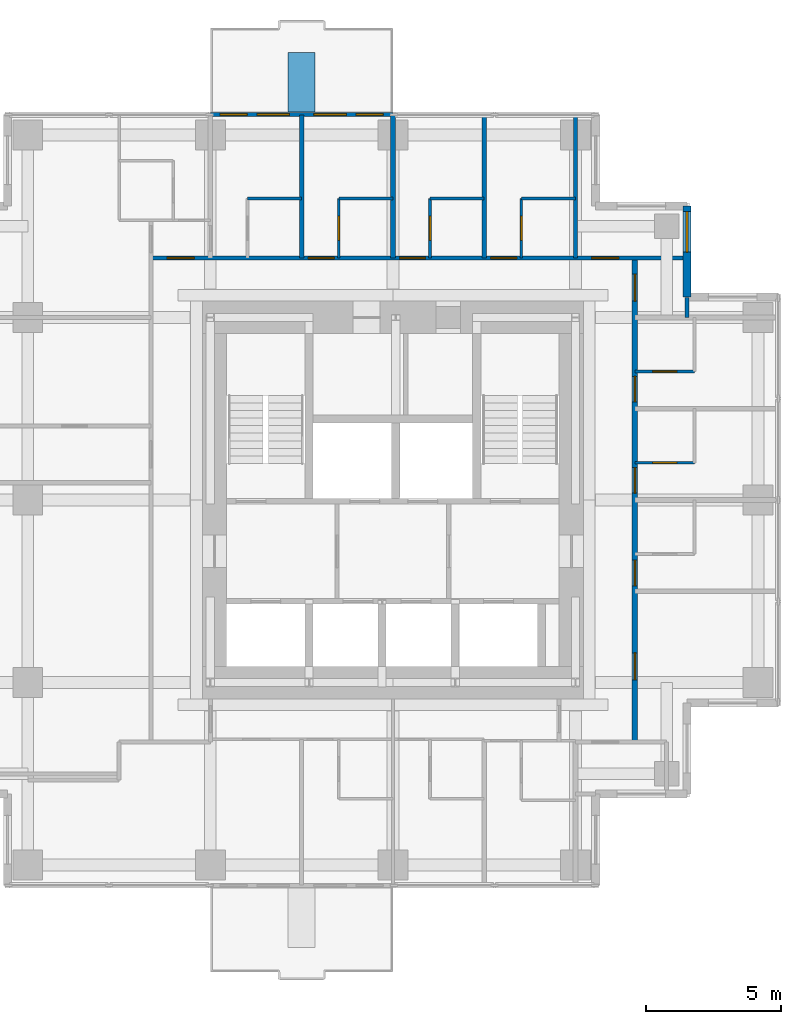
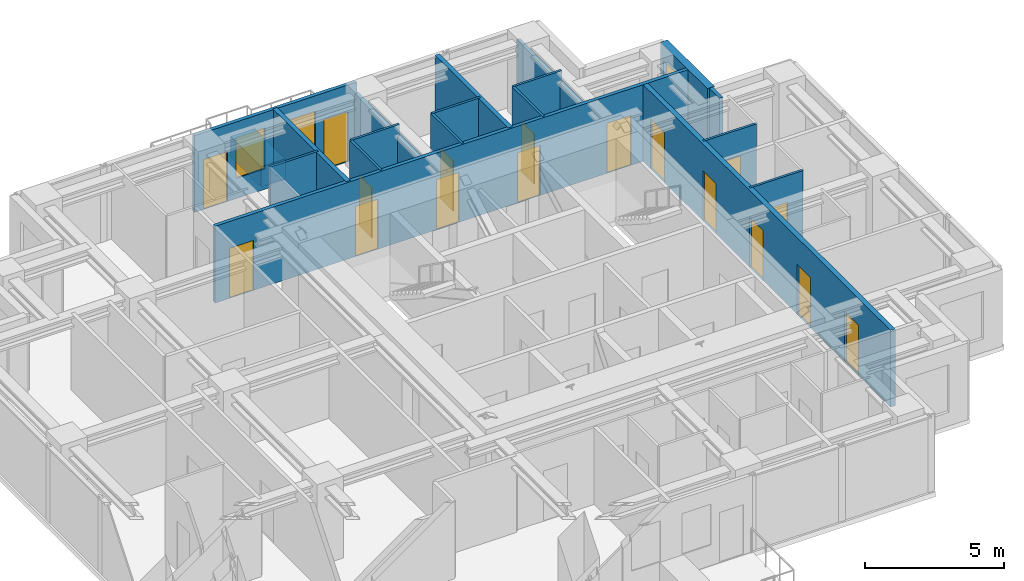
# One storey, part 6 of 8: 19 walls, 17 doors, 3 windows, 20 openings.
"""IFC4 building model written with IfcOpenShell, lengths in metres."""

from ifc_helpers import new_model, si_unit, direction, frame, frame_2d, origin, place, context, subcontext, project, spatial, rectangle, extrude, material, layer, layer_set, type_object, element, fill, save


model = new_model("IFC4")

# Units and contexts
model_context = context("Model", 3, precision=1e-05, world=origin(), true_north=direction((0.0, 1.0)))
body_context = subcontext(model_context, "Body", "Model", "MODEL_VIEW")
ifc_project = project(units=[si_unit("LENGTHUNIT", "METRE"), si_unit("AREAUNIT", "SQUARE_METRE"), si_unit("VOLUMEUNIT", "CUBIC_METRE"), si_unit("PLANEANGLEUNIT", "RADIAN"), si_unit("MASSUNIT", "GRAM", prefix="KILO")], contexts=[model_context])

# Site, building, storey
site_placement = place(None, origin())
site = spatial("IfcSite", under=ifc_project, at=site_placement, CompositionType="ELEMENT")
building_placement = place(site_placement, origin())
building = spatial("IfcBuilding", under=site, at=building_placement, Name="Nyansa Garden Tower", CompositionType="ELEMENT")
storey_placement = place(building_placement, frame((0.0, 0.0, 211.5)))
storey = spatial("IfcBuildingStorey", under=building, at=storey_placement, Name="L57", CompositionType="ELEMENT", Elevation=211.5)

# Walls
ifc_material_1 = material(Name="Dense blockwork, plastered both sides, 55 dB", Category="masonry")
ifc_layer_1 = layer(ifc_material_1, 0.175048828125)
ifc_layer_set_1 = layer_set([ifc_layer_1], Name="Acoustic party wall PW175")
wall_type_1 = type_object("IfcWallType", Name="Acoustic party wall PW175", PredefinedType="PARTITIONING", material=ifc_layer_set_1)
wall_1_placement = place(storey_placement, frame((16.875, 29.199951171875, 0.0), z_axis=(0.0, 0.0, 1.0), x_axis=(0.0, 1.0, 0.0)))
element("IfcWall", 1, at=wall_1_placement, inside=storey, type_object=wall_type_1, Name="Party wall", PredefinedType="PARTITIONING", context=body_context, shape_type="SweptSolid", body=[
    extrude(rectangle(XDim=5.283935546875, YDim=0.175048828125, at=frame_2d((2.64208984375, 0.0))), origin(), (0.0, 0.0, 1.0), 3.375),
])
wall_2_placement = place(storey_placement, frame((20.25, 29.199951171875, 0.0), z_axis=(0.0, 0.0, 1.0), x_axis=(0.0, 1.0, 0.0)))
element("IfcWall", 2, at=wall_2_placement, inside=storey, type_object=wall_type_1, Name="Party wall", PredefinedType="PARTITIONING", context=body_context, shape_type="SweptSolid", body=[
    extrude(rectangle(XDim=5.283935546875, YDim=0.175048828125, at=frame_2d((2.64208984375, 0.0))), origin(), (0.0, 0.0, 1.0), 2.876953125),
])
wall_3_placement = place(storey_placement, frame((23.625, 29.199951171875, 0.0), z_axis=(0.0, 0.0, 1.0), x_axis=(0.0, 1.0, 0.0)))
element("IfcWall", 3, at=wall_3_placement, inside=storey, type_object=wall_type_1, Name="Party wall", PredefinedType="PARTITIONING", context=body_context, shape_type="SweptSolid", body=[
    extrude(rectangle(XDim=5.283935546875, YDim=0.175048828125, at=frame_2d((2.64208984375, 0.0))), origin(), (0.0, 0.0, 1.0), 3.375),
])

# Wall, openings, doors, windows
ifc_material_2 = material(Name="Black aluminium framed glazed screen", Category="aluminium")
ifc_layer_2 = layer(ifc_material_2, 0.14990234375)
ifc_layer_set_2 = layer_set([ifc_layer_2], Name="Balcony screen wall BW150")
wall_type_2 = type_object("IfcWallType", Name="Balcony screen wall BW150", PredefinedType="SOLIDWALL", material=ifc_layer_set_2)
wall_4_placement = place(storey_placement, frame((13.5, 34.5, 0.0), z_axis=(0.0, 0.0, 1.0), x_axis=(1.0, 0.0, 0.0)))
wall_4 = element("IfcWall", 4, at=wall_4_placement, inside=storey, type_object=wall_type_2, Name="Glazed screen wall L57 N", PredefinedType="SOLIDWALL", context=body_context, shape_type="SweptSolid", body=[
    extrude(rectangle(XDim=6.75, YDim=0.14990234375, at=frame_2d((3.375, 0.0))), origin(), (0.0, 0.0, 1.0), 3.375),
])
opening_1_placement = place(wall_4_placement, frame((0.362548828125, 0.0, 0.0)))
opening_1 = element("IfcOpeningElement", 5, at=opening_1_placement, cuts=wall_4, Name="Opening D20", PredefinedType="OPENING", context=body_context, shape_type="SweptSolid", body=[
    extrude(rectangle(XDim=1.0, YDim=2.199951171875, at=frame_2d((0.5, 1.10009765625))), frame((0.0, 0.0849609375, 0.0), z_axis=(0.0, -1.0, 0.0), x_axis=(1.0, 0.0, 0.0)), (0.0, 0.0, 1.0), 0.169921875),
])
opening_2_placement = place(wall_4_placement, frame((1.72509765625, 0.0, 0.89990234375)))
opening_2 = element("IfcOpeningElement", 6, at=opening_2_placement, cuts=wall_4, Name="Opening W6", PredefinedType="OPENING", context=body_context, shape_type="SweptSolid", body=[
    extrude(rectangle(XDim=1.199951171875, YDim=1.800048828125, at=frame_2d((0.60009765625, 0.89990234375))), frame((0.0, 0.0849609375, 0.0), z_axis=(0.0, -1.0, 0.0), x_axis=(1.0, 0.0, 0.0)), (0.0, 0.0, 1.0), 0.169921875),
])
opening_3_placement = place(wall_4_placement, frame((5.387451171875, 0.0, 0.0)))
opening_3 = element("IfcOpeningElement", 7, at=opening_3_placement, cuts=wall_4, Name="Opening D20", PredefinedType="OPENING", context=body_context, shape_type="SweptSolid", body=[
    extrude(rectangle(XDim=1.0, YDim=2.199951171875, at=frame_2d((0.5, 1.10009765625))), frame((0.0, 0.0849609375, 0.0), z_axis=(0.0, -1.0, 0.0), x_axis=(1.0, 0.0, 0.0)), (0.0, 0.0, 1.0), 0.169921875),
])
opening_4_placement = place(wall_4_placement, frame((3.824951171875, 0.0, 0.89990234375)))
opening_4 = element("IfcOpeningElement", 8, at=opening_4_placement, cuts=wall_4, Name="Opening W6", PredefinedType="OPENING", context=body_context, shape_type="SweptSolid", body=[
    extrude(rectangle(XDim=1.199951171875, YDim=1.800048828125, at=frame_2d((0.60009765625, 0.89990234375))), frame((0.0, 0.0849609375, 0.0), z_axis=(0.0, -1.0, 0.0), x_axis=(1.0, 0.0, 0.0)), (0.0, 0.0, 1.0), 0.169921875),
])
ifc_material_3 = material(Name="Black aluminium framed glazed door", Category="aluminium")
door_type_1 = type_object("IfcDoorType", Name="Balcony door D20 1000x2200", OperationType="NOTDEFINED", PredefinedType="DOOR", material=ifc_material_3)
door_1_placement = place(opening_1_placement, origin())
door_1 = element("IfcDoor", 9, at=door_1_placement, inside=storey, type_object=door_type_1, Name="Balcony door L57", OperationType="SINGLE_SWING_LEFT", OverallHeight=2.199951171875, OverallWidth=1.0, PredefinedType="DOOR", context=body_context, shape_type="SweptSolid", body=[
    extrude(rectangle(XDim=1.0, YDim=2.199951171875, at=frame_2d((0.5, 1.10009765625))), frame((0.0, 0.02490234375, 0.0), z_axis=(0.0, -1.0, 0.0), x_axis=(1.0, 0.0, 0.0)), (0.0, 0.0, 1.0), 0.050048828125),
])
fill(opening_1, door_1)
door_2_placement = place(opening_3_placement, origin())
door_2 = element("IfcDoor", 10, at=door_2_placement, inside=storey, type_object=door_type_1, Name="Balcony door L57", OperationType="SINGLE_SWING_RIGHT", OverallHeight=2.199951171875, OverallWidth=1.0, PredefinedType="DOOR", context=body_context, shape_type="SweptSolid", body=[
    extrude(rectangle(XDim=1.0, YDim=2.199951171875, at=frame_2d((0.5, 1.10009765625))), frame((0.0, 0.02490234375, 0.0), z_axis=(0.0, -1.0, 0.0), x_axis=(1.0, 0.0, 0.0)), (0.0, 0.0, 1.0), 0.050048828125),
])
fill(opening_3, door_2)
ifc_material_4 = material(Name="Black aluminium frame, dark tinted double glazing", Category="aluminium")
window_type_1 = type_object("IfcWindowType", Name="Balcony window W6 1200x1800", PartitioningType="SINGLE_PANEL", PredefinedType="WINDOW", material=ifc_material_4)
window_1_placement = place(opening_2_placement, origin())
window_1 = element("IfcWindow", 11, at=window_1_placement, inside=storey, type_object=window_type_1, Name="Window L57", OverallHeight=1.800048828125, OverallWidth=1.199951171875, PartitioningType="SINGLE_PANEL", PredefinedType="WINDOW", context=body_context, shape_type="SweptSolid", body=[
    extrude(rectangle(XDim=1.199951171875, YDim=1.800048828125, at=frame_2d((0.60009765625, 0.89990234375))), frame((0.0, 0.030029296875, 0.0), z_axis=(0.0, -1.0, 0.0), x_axis=(1.0, 0.0, 0.0)), (0.0, 0.0, 1.0), 0.06005859375),
])
fill(opening_2, window_1)
window_2_placement = place(opening_4_placement, origin())
window_2 = element("IfcWindow", 12, at=window_2_placement, inside=storey, type_object=window_type_1, Name="Window L57", OverallHeight=1.800048828125, OverallWidth=1.199951171875, PartitioningType="SINGLE_PANEL", PredefinedType="WINDOW", context=body_context, shape_type="SweptSolid", body=[
    extrude(rectangle(XDim=1.199951171875, YDim=1.800048828125, at=frame_2d((0.60009765625, 0.89990234375))), frame((0.0, 0.030029296875, 0.0), z_axis=(0.0, -1.0, 0.0), x_axis=(1.0, 0.0, 0.0)), (0.0, 0.0, 1.0), 0.06005859375),
])
fill(opening_4, window_2)

# Wall, openings, doors
ifc_material_5 = material(Name="Concrete blockwork, plastered, 60 minute fire resisting", Category="masonry")
ifc_layer_3 = layer(ifc_material_5, 0.199951171875)
ifc_layer_set_3 = layer_set([ifc_layer_3], Name="Corridor wall FW200")
wall_type_3 = type_object("IfcWallType", Name="Corridor wall FW200", PredefinedType="PARTITIONING", material=ifc_layer_set_3)
wall_5_placement = place(storey_placement, frame((29.199951171875, 11.300048828125, 0.0), z_axis=(0.0, 0.0, 1.0), x_axis=(0.0, 1.0, 0.0)))
wall_5 = element("IfcWall", 13, at=wall_5_placement, inside=storey, type_object=wall_type_3, Name="Corridor wall", PredefinedType="PARTITIONING", context=body_context, shape_type="SweptSolid", body=[
    extrude(rectangle(XDim=17.89990234375, YDim=0.199951171875, at=frame_2d((8.949951171875, 0.0))), origin(), (0.0, 0.0, 1.0), 3.375),
])
opening_5_placement = place(wall_5_placement, frame((2.300048828125, 0.0, 0.0)))
opening_5 = element("IfcOpeningElement", 14, at=opening_5_placement, cuts=wall_5, Name="Opening D03", PredefinedType="OPENING", context=body_context, shape_type="SweptSolid", body=[
    extrude(rectangle(XDim=1.0, YDim=2.199951171875, at=frame_2d((0.5, 1.10009765625))), frame((0.0, 0.10986328125, 0.0), z_axis=(0.0, -1.0, 0.0), x_axis=(1.0, 0.0, 0.0)), (0.0, 0.0, 1.0), 0.219970703125),
])
opening_6_placement = place(wall_5_placement, frame((5.77490234375, 0.0, 0.0)))
opening_6 = element("IfcOpeningElement", 15, at=opening_6_placement, cuts=wall_5, Name="Opening D14", PredefinedType="OPENING", context=body_context, shape_type="SweptSolid", body=[
    extrude(rectangle(XDim=0.949951171875, YDim=2.199951171875, at=frame_2d((0.47509765625, 1.10009765625))), frame((0.0, 0.10986328125, 0.0), z_axis=(0.0, -1.0, 0.0), x_axis=(1.0, 0.0, 0.0)), (0.0, 0.0, 1.0), 0.219970703125),
])
opening_7_placement = place(wall_5_placement, frame((9.199951171875, 0.0, 0.0)))
opening_7 = element("IfcOpeningElement", 16, at=opening_7_placement, cuts=wall_5, Name="Opening D14", PredefinedType="OPENING", context=body_context, shape_type="SweptSolid", body=[
    extrude(rectangle(XDim=0.949951171875, YDim=2.199951171875, at=frame_2d((0.47509765625, 1.10009765625))), frame((0.0, 0.10986328125, 0.0), z_axis=(0.0, -1.0, 0.0), x_axis=(1.0, 0.0, 0.0)), (0.0, 0.0, 1.0), 0.219970703125),
])
opening_8_placement = place(wall_5_placement, frame((12.574951171875, 0.0, 0.0)))
opening_8 = element("IfcOpeningElement", 17, at=opening_8_placement, cuts=wall_5, Name="Opening D14", PredefinedType="OPENING", context=body_context, shape_type="SweptSolid", body=[
    extrude(rectangle(XDim=0.949951171875, YDim=2.199951171875, at=frame_2d((0.47509765625, 1.10009765625))), frame((0.0, 0.10986328125, 0.0), z_axis=(0.0, -1.0, 0.0), x_axis=(1.0, 0.0, 0.0)), (0.0, 0.0, 1.0), 0.219970703125),
])
opening_9_placement = place(wall_5_placement, frame((16.300048828125, 0.0, 0.0)))
opening_9 = element("IfcOpeningElement", 18, at=opening_9_placement, cuts=wall_5, Name="Opening D03", PredefinedType="OPENING", context=body_context, shape_type="SweptSolid", body=[
    extrude(rectangle(XDim=1.0, YDim=2.199951171875, at=frame_2d((0.5, 1.10009765625))), frame((0.0, 0.10986328125, 0.0), z_axis=(0.0, -1.0, 0.0), x_axis=(1.0, 0.0, 0.0)), (0.0, 0.0, 1.0), 0.219970703125),
])
ifc_material_6 = material(Name="Timber flush door, 60 minute fire resisting", Category="wood")
door_type_2 = type_object("IfcDoorType", Name="Cluster entrance door D03 1000x2200", OperationType="SINGLE_SWING_LEFT", PredefinedType="DOOR", material=ifc_material_6)
door_3_placement = place(opening_5_placement, origin())
door_3 = element("IfcDoor", 19, at=door_3_placement, inside=storey, type_object=door_type_2, Name="Door L57-026", OperationType="SINGLE_SWING_LEFT", OverallHeight=2.199951171875, OverallWidth=1.0, PredefinedType="DOOR", context=body_context, shape_type="SweptSolid", body=[
    extrude(rectangle(XDim=1.0, YDim=2.199951171875, at=frame_2d((0.5, 1.10009765625))), frame((0.0, 0.02490234375, 0.0), z_axis=(0.0, -1.0, 0.0), x_axis=(1.0, 0.0, 0.0)), (0.0, 0.0, 1.0), 0.050048828125),
])
fill(opening_5, door_3)
door_4_placement = place(opening_9_placement, origin())
door_4 = element("IfcDoor", 20, at=door_4_placement, inside=storey, type_object=door_type_2, Name="Door L57-033", OperationType="SINGLE_SWING_LEFT", OverallHeight=2.199951171875, OverallWidth=1.0, PredefinedType="DOOR", context=body_context, shape_type="SweptSolid", body=[
    extrude(rectangle(XDim=1.0, YDim=2.199951171875, at=frame_2d((0.5, 1.10009765625))), frame((0.0, 0.02490234375, 0.0), z_axis=(0.0, -1.0, 0.0), x_axis=(1.0, 0.0, 0.0)), (0.0, 0.0, 1.0), 0.050048828125),
])
fill(opening_9, door_4)
ifc_material_7 = material(Name="Timber flush door, 60 minute fire resisting, self-closing", Category="wood")
door_type_3 = type_object("IfcDoorType", Name="Studio entrance door D14 950x2200", OperationType="SINGLE_SWING_LEFT", PredefinedType="DOOR", material=ifc_material_7)
door_5_placement = place(opening_6_placement, origin())
door_5 = element("IfcDoor", 21, at=door_5_placement, inside=storey, type_object=door_type_3, Name="Door L57-027", OperationType="SINGLE_SWING_LEFT", OverallHeight=2.199951171875, OverallWidth=0.949951171875, PredefinedType="DOOR", context=body_context, shape_type="SweptSolid", body=[
    extrude(rectangle(XDim=0.949951171875, YDim=2.199951171875, at=frame_2d((0.47509765625, 1.10009765625))), frame((0.0, 0.02490234375, 0.0), z_axis=(0.0, -1.0, 0.0), x_axis=(1.0, 0.0, 0.0)), (0.0, 0.0, 1.0), 0.050048828125),
])
fill(opening_6, door_5)
door_6_placement = place(opening_7_placement, origin())
door_6 = element("IfcDoor", 22, at=door_6_placement, inside=storey, type_object=door_type_3, Name="Door L57-029", OperationType="SINGLE_SWING_LEFT", OverallHeight=2.199951171875, OverallWidth=0.949951171875, PredefinedType="DOOR", context=body_context, shape_type="SweptSolid", body=[
    extrude(rectangle(XDim=0.949951171875, YDim=2.199951171875, at=frame_2d((0.47509765625, 1.10009765625))), frame((0.0, 0.02490234375, 0.0), z_axis=(0.0, -1.0, 0.0), x_axis=(1.0, 0.0, 0.0)), (0.0, 0.0, 1.0), 0.050048828125),
])
fill(opening_7, door_6)
door_7_placement = place(opening_8_placement, origin())
door_7 = element("IfcDoor", 23, at=door_7_placement, inside=storey, type_object=door_type_3, Name="Door L57-031", OperationType="SINGLE_SWING_LEFT", OverallHeight=2.199951171875, OverallWidth=0.949951171875, PredefinedType="DOOR", context=body_context, shape_type="SweptSolid", body=[
    extrude(rectangle(XDim=0.949951171875, YDim=2.199951171875, at=frame_2d((0.47509765625, 1.10009765625))), frame((0.0, 0.02490234375, 0.0), z_axis=(0.0, -1.0, 0.0), x_axis=(1.0, 0.0, 0.0)), (0.0, 0.0, 1.0), 0.050048828125),
])
fill(opening_8, door_7)

ifc_material_8 = material(Name="Blockwork, plastered both sides", Category="masonry")
ifc_layer_4 = layer(ifc_material_8, 0.14990234375)
ifc_layer_set_4 = layer_set([ifc_layer_4], Name="Partition PW150")
wall_type_4 = type_object("IfcWallType", Name="Partition PW150", PredefinedType="PARTITIONING", material=ifc_layer_set_4)
wall_6_placement = place(storey_placement, frame((11.300048828125, 29.199951171875, 0.0), z_axis=(0.0, 0.0, 1.0), x_axis=(1.0, 0.0, 0.0)))
wall_6 = element("IfcWall", 24, at=wall_6_placement, inside=storey, type_object=wall_type_4, Name="Partition", PredefinedType="PARTITIONING", context=body_context, shape_type="SweptSolid", body=[
    extrude(rectangle(XDim=19.808837890625, YDim=0.14990234375, at=frame_2d((9.904296875, 0.0))), origin(), (0.0, 0.0, 1.0), 3.375),
])
opening_10_placement = place(wall_6_placement, frame((16.300048828125, 0.0, 0.0)))
opening_10 = element("IfcOpeningElement", 25, at=opening_10_placement, cuts=wall_6, Name="Opening D03", PredefinedType="OPENING", context=body_context, shape_type="SweptSolid", body=[
    extrude(rectangle(XDim=1.0, YDim=2.199951171875, at=frame_2d((0.5, 1.10009765625))), frame((0.0, 0.0849609375, 0.0), z_axis=(0.0, -1.0, 0.0), x_axis=(1.0, 0.0, 0.0)), (0.0, 0.0, 1.0), 0.169921875),
])
opening_11_placement = place(wall_6_placement, frame((5.824951171875, 0.0, 0.0)))
opening_11 = element("IfcOpeningElement", 26, at=opening_11_placement, cuts=wall_6, Name="Opening D14", PredefinedType="OPENING", context=body_context, shape_type="SweptSolid", body=[
    extrude(rectangle(XDim=0.949951171875, YDim=2.199951171875, at=frame_2d((0.47509765625, 1.10009765625))), frame((0.0, 0.0849609375, 0.0), z_axis=(0.0, -1.0, 0.0), x_axis=(1.0, 0.0, 0.0)), (0.0, 0.0, 1.0), 0.169921875),
])
opening_12_placement = place(wall_6_placement, frame((9.199951171875, 0.0, 0.0)))
opening_12 = element("IfcOpeningElement", 27, at=opening_12_placement, cuts=wall_6, Name="Opening D14", PredefinedType="OPENING", context=body_context, shape_type="SweptSolid", body=[
    extrude(rectangle(XDim=0.949951171875, YDim=2.199951171875, at=frame_2d((0.47509765625, 1.10009765625))), frame((0.0, 0.0849609375, 0.0), z_axis=(0.0, -1.0, 0.0), x_axis=(1.0, 0.0, 0.0)), (0.0, 0.0, 1.0), 0.169921875),
])
opening_13_placement = place(wall_6_placement, frame((12.574951171875, 0.0, 0.0)))
opening_13 = element("IfcOpeningElement", 28, at=opening_13_placement, cuts=wall_6, Name="Opening D14", PredefinedType="OPENING", context=body_context, shape_type="SweptSolid", body=[
    extrude(rectangle(XDim=0.949951171875, YDim=2.199951171875, at=frame_2d((0.47509765625, 1.10009765625))), frame((0.0, 0.0849609375, 0.0), z_axis=(0.0, -1.0, 0.0), x_axis=(1.0, 0.0, 0.0)), (0.0, 0.0, 1.0), 0.169921875),
])
opening_14_placement = place(wall_6_placement, frame((0.60009765625, 0.0, 0.0)))
opening_14 = element("IfcOpeningElement", 29, at=opening_14_placement, cuts=wall_6, Name="Opening D03", PredefinedType="OPENING", context=body_context, shape_type="SweptSolid", body=[
    extrude(rectangle(XDim=1.0, YDim=2.199951171875, at=frame_2d((0.5, 1.10009765625))), frame((0.0, 0.0849609375, 0.0), z_axis=(0.0, -1.0, 0.0), x_axis=(1.0, 0.0, 0.0)), (0.0, 0.0, 1.0), 0.169921875),
])
door_8_placement = place(opening_10_placement, origin())
door_8 = element("IfcDoor", 30, at=door_8_placement, inside=storey, type_object=door_type_2, Name="Door L57-034", OperationType="SINGLE_SWING_LEFT", OverallHeight=2.199951171875, OverallWidth=1.0, PredefinedType="DOOR", context=body_context, shape_type="SweptSolid", body=[
    extrude(rectangle(XDim=1.0, YDim=2.199951171875, at=frame_2d((0.5, 1.10009765625))), frame((0.0, 0.02490234375, 0.0), z_axis=(0.0, -1.0, 0.0), x_axis=(1.0, 0.0, 0.0)), (0.0, 0.0, 1.0), 0.050048828125),
])
fill(opening_10, door_8)
door_9_placement = place(opening_14_placement, origin())
door_9 = element("IfcDoor", 31, at=door_9_placement, inside=storey, type_object=door_type_2, Name="Door L57-045", OperationType="SINGLE_SWING_LEFT", OverallHeight=2.199951171875, OverallWidth=1.0, PredefinedType="DOOR", context=body_context, shape_type="SweptSolid", body=[
    extrude(rectangle(XDim=1.0, YDim=2.199951171875, at=frame_2d((0.5, 1.10009765625))), frame((0.0, 0.02490234375, 0.0), z_axis=(0.0, -1.0, 0.0), x_axis=(1.0, 0.0, 0.0)), (0.0, 0.0, 1.0), 0.050048828125),
])
fill(opening_14, door_9)
door_10_placement = place(opening_11_placement, origin())
door_10 = element("IfcDoor", 32, at=door_10_placement, inside=storey, type_object=door_type_3, Name="Door L57-039", OperationType="SINGLE_SWING_LEFT", OverallHeight=2.199951171875, OverallWidth=0.949951171875, PredefinedType="DOOR", context=body_context, shape_type="SweptSolid", body=[
    extrude(rectangle(XDim=0.949951171875, YDim=2.199951171875, at=frame_2d((0.47509765625, 1.10009765625))), frame((0.0, 0.02490234375, 0.0), z_axis=(0.0, -1.0, 0.0), x_axis=(1.0, 0.0, 0.0)), (0.0, 0.0, 1.0), 0.050048828125),
])
fill(opening_11, door_10)
door_11_placement = place(opening_12_placement, origin())
door_11 = element("IfcDoor", 33, at=door_11_placement, inside=storey, type_object=door_type_3, Name="Door L57-041", OperationType="SINGLE_SWING_LEFT", OverallHeight=2.199951171875, OverallWidth=0.949951171875, PredefinedType="DOOR", context=body_context, shape_type="SweptSolid", body=[
    extrude(rectangle(XDim=0.949951171875, YDim=2.199951171875, at=frame_2d((0.47509765625, 1.10009765625))), frame((0.0, 0.02490234375, 0.0), z_axis=(0.0, -1.0, 0.0), x_axis=(1.0, 0.0, 0.0)), (0.0, 0.0, 1.0), 0.050048828125),
])
fill(opening_12, door_11)
door_12_placement = place(opening_13_placement, origin())
door_12 = element("IfcDoor", 34, at=door_12_placement, inside=storey, type_object=door_type_3, Name="Door L57-043", OperationType="SINGLE_SWING_LEFT", OverallHeight=2.199951171875, OverallWidth=0.949951171875, PredefinedType="DOOR", context=body_context, shape_type="SweptSolid", body=[
    extrude(rectangle(XDim=0.949951171875, YDim=2.199951171875, at=frame_2d((0.47509765625, 1.10009765625))), frame((0.0, 0.02490234375, 0.0), z_axis=(0.0, -1.0, 0.0), x_axis=(1.0, 0.0, 0.0)), (0.0, 0.0, 1.0), 0.050048828125),
])
fill(opening_13, door_12)

# Walls
wall_7_placement = place(storey_placement, frame((27.0, 29.199951171875, 0.0), z_axis=(0.0, 0.0, 1.0), x_axis=(0.0, 1.0, 0.0)))
element("IfcWall", 35, at=wall_7_placement, inside=storey, type_object=wall_type_4, Name="Partition", PredefinedType="PARTITIONING", context=body_context, shape_type="SweptSolid", body=[
    extrude(rectangle(XDim=5.283935546875, YDim=0.14990234375, at=frame_2d((2.64208984375, 0.0))), origin(), (0.0, 0.0, 1.0), 2.876953125),
])
wall_8_placement = place(storey_placement, frame((31.125, 27.0, 0.0), z_axis=(0.0, 0.0, 1.0), x_axis=(0.0, 1.0, 0.0)))
element("IfcWall", 36, at=wall_8_placement, inside=storey, type_object=wall_type_4, Name="Partition", PredefinedType="PARTITIONING", context=body_context, shape_type="SweptSolid", body=[
    extrude(rectangle(XDim=0.73388671875, YDim=0.14990234375, at=frame_2d((0.366943359375, 0.0))), origin(), (0.0, 0.0, 1.0), 3.375),
])

# Wall, opening, window
ifc_material_9 = material(Name="Turquoise glazed tile on concrete blockwork", Category="masonry")
ifc_layer_5 = layer(ifc_material_9, 0.300048828125)
ifc_layer_set_5 = layer_set([ifc_layer_5], Name="Tiled corner wall TW300")
wall_type_5 = type_object("IfcWallType", Name="Tiled corner wall TW300", PredefinedType="SOLIDWALL", material=ifc_layer_set_5)
wall_9_placement = place(storey_placement, frame((31.125, 27.75, 0.0), z_axis=(0.0, 0.0, 1.0), x_axis=(0.0, 1.0, 0.0)))
wall_9 = element("IfcWall", 37, at=wall_9_placement, inside=storey, type_object=wall_type_5, Name="Tiled corner wall L57", PredefinedType="SOLIDWALL", context=body_context, shape_type="SweptSolid", body=[
    extrude(rectangle(XDim=3.375, YDim=0.300048828125, at=frame_2d((1.6875, 0.0))), origin(), (0.0, 0.0, 1.0), 3.375),
])
opening_15_placement = place(wall_9_placement, frame((1.66259765625, 0.0, 0.89990234375)))
opening_15 = element("IfcOpeningElement", 38, at=opening_15_placement, cuts=wall_9, Name="Opening W1", PredefinedType="OPENING", context=body_context, shape_type="SweptSolid", body=[
    extrude(rectangle(XDim=1.5, YDim=1.800048828125, at=frame_2d((0.75, 0.89990234375))), frame((0.0, 0.159912109375, 0.0), z_axis=(0.0, -1.0, 0.0), x_axis=(1.0, 0.0, 0.0)), (0.0, 0.0, 1.0), 0.320068359375),
])
ifc_material_10 = material(Name="Black aluminium frame, dark tinted double glazing", Category="aluminium")
window_type_2 = type_object("IfcWindowType", Name="Window W1 1500x1800", PartitioningType="SINGLE_PANEL", PredefinedType="WINDOW", material=ifc_material_10)
window_3_placement = place(opening_15_placement, origin())
window_3 = element("IfcWindow", 39, at=window_3_placement, inside=storey, type_object=window_type_2, Name="Corner window L57", OverallHeight=1.800048828125, OverallWidth=1.5, PartitioningType="SINGLE_PANEL", PredefinedType="WINDOW", context=body_context, shape_type="SweptSolid", body=[
    extrude(rectangle(XDim=1.5, YDim=1.800048828125, at=frame_2d((0.75, 0.89990234375))), frame((0.0, 0.030029296875, 0.0), z_axis=(0.0, -1.0, 0.0), x_axis=(1.0, 0.0, 0.0)), (0.0, 0.0, 1.0), 0.06005859375),
])
fill(opening_15, window_3)

# Walls
ifc_material_11 = material(Name="Concrete C40/50 planter, waterproofed", Category="concrete")
ifc_layer_6 = layer(ifc_material_11, 1.0)
ifc_layer_set_6 = layer_set([ifc_layer_6], Name="Tree planter TP1")
wall_type_6 = type_object("IfcWallType", Name="Tree planter TP1", PredefinedType="USERDEFINED", material=ifc_layer_set_6)
wall_10_placement = place(storey_placement, frame((16.875, 34.60009765625, 0.0), z_axis=(0.0, 0.0, 1.0), x_axis=(0.0, 1.0, 0.0)))
element("IfcWall", 40, at=wall_10_placement, inside=storey, type_object=wall_type_6, Name="Tree planter L57", ObjectType="TREE PLANTER", PredefinedType="USERDEFINED", context=body_context, shape_type="SweptSolid", body=[
    extrude(rectangle(XDim=2.199951171875, YDim=1.0, at=frame_2d((1.10009765625, 0.0))), origin(), (0.0, 0.0, 1.0), 0.89990234375),
])
ifc_material_12 = material(Name="Moisture resistant board on steel studs, tiled", Category="steel")
ifc_layer_7 = layer(ifc_material_12, 0.10009765625)
ifc_layer_set_7 = layer_set([ifc_layer_7], Name="Wet wall PW100")
wall_type_7 = type_object("IfcWallType", Name="Wet wall PW100", PredefinedType="PARTITIONING", material=ifc_layer_set_7)
wall_11_placement = place(storey_placement, frame((14.875, 31.39990234375, 0.0), z_axis=(0.0, 0.0, 1.0), x_axis=(1.0, 0.0, 0.0)))
element("IfcWall", 41, at=wall_11_placement, inside=storey, type_object=wall_type_7, Name="Wet wall", PredefinedType="PARTITIONING", context=body_context, shape_type="SweptSolid", body=[
    extrude(rectangle(XDim=2.0, YDim=0.10009765625, at=frame_2d((1.0, 0.0))), origin(), (0.0, 0.0, 1.0), 3.375),
])

# Wall, opening, door
wall_12_placement = place(storey_placement, frame((18.25, 29.199951171875, 0.0), z_axis=(0.0, 0.0, 1.0), x_axis=(0.0, 1.0, 0.0)))
wall_12 = element("IfcWall", 42, at=wall_12_placement, inside=storey, type_object=wall_type_7, Name="Wet wall", PredefinedType="PARTITIONING", context=body_context, shape_type="SweptSolid", body=[
    extrude(rectangle(XDim=2.199951171875, YDim=0.10009765625, at=frame_2d((1.10009765625, 0.0))), origin(), (0.0, 0.0, 1.0), 3.375),
])
opening_16_placement = place(wall_12_placement, frame((0.64990234375, 0.0, 0.0)))
opening_16 = element("IfcOpeningElement", 43, at=opening_16_placement, cuts=wall_12, Name="Opening D02", PredefinedType="OPENING", context=body_context, shape_type="SweptSolid", body=[
    extrude(rectangle(XDim=0.89990234375, YDim=2.199951171875, at=frame_2d((0.449951171875, 1.10009765625))), frame((0.0, 0.06005859375, 0.0), z_axis=(0.0, -1.0, 0.0), x_axis=(1.0, 0.0, 0.0)), (0.0, 0.0, 1.0), 0.1201171875),
])
ifc_material_13 = material(Name="Timber flush door", Category="wood")
door_type_4 = type_object("IfcDoorType", Name="En-suite door D02 900x2200", OperationType="SINGLE_SWING_RIGHT", PredefinedType="DOOR", material=ifc_material_13)
door_13_placement = place(opening_16_placement, origin())
door_13 = element("IfcDoor", 44, at=door_13_placement, inside=storey, type_object=door_type_4, Name="Door L57-040", OperationType="SINGLE_SWING_RIGHT", OverallHeight=2.199951171875, OverallWidth=0.89990234375, PredefinedType="DOOR", context=body_context, shape_type="SweptSolid", body=[
    extrude(rectangle(XDim=0.89990234375, YDim=2.199951171875, at=frame_2d((0.449951171875, 1.10009765625))), frame((0.0, 0.02490234375, 0.0), z_axis=(0.0, -1.0, 0.0), x_axis=(1.0, 0.0, 0.0)), (0.0, 0.0, 1.0), 0.050048828125),
])
fill(opening_16, door_13)

# Wall
wall_13_placement = place(storey_placement, frame((18.25, 31.39990234375, 0.0), z_axis=(0.0, 0.0, 1.0), x_axis=(1.0, 0.0, 0.0)))
element("IfcWall", 45, at=wall_13_placement, inside=storey, type_object=wall_type_7, Name="Wet wall", PredefinedType="PARTITIONING", context=body_context, shape_type="SweptSolid", body=[
    extrude(rectangle(XDim=2.0, YDim=0.10009765625, at=frame_2d((1.0, 0.0))), origin(), (0.0, 0.0, 1.0), 3.375),
])

# Wall, opening, door
wall_14_placement = place(storey_placement, frame((21.625, 29.199951171875, 0.0), z_axis=(0.0, 0.0, 1.0), x_axis=(0.0, 1.0, 0.0)))
wall_14 = element("IfcWall", 46, at=wall_14_placement, inside=storey, type_object=wall_type_7, Name="Wet wall", PredefinedType="PARTITIONING", context=body_context, shape_type="SweptSolid", body=[
    extrude(rectangle(XDim=2.199951171875, YDim=0.10009765625, at=frame_2d((1.10009765625, 0.0))), origin(), (0.0, 0.0, 1.0), 3.375),
])
opening_17_placement = place(wall_14_placement, frame((0.64990234375, 0.0, 0.0)))
opening_17 = element("IfcOpeningElement", 47, at=opening_17_placement, cuts=wall_14, Name="Opening D02", PredefinedType="OPENING", context=body_context, shape_type="SweptSolid", body=[
    extrude(rectangle(XDim=0.89990234375, YDim=2.199951171875, at=frame_2d((0.449951171875, 1.10009765625))), frame((0.0, 0.06005859375, 0.0), z_axis=(0.0, -1.0, 0.0), x_axis=(1.0, 0.0, 0.0)), (0.0, 0.0, 1.0), 0.1201171875),
])
door_14_placement = place(opening_17_placement, origin())
door_14 = element("IfcDoor", 48, at=door_14_placement, inside=storey, type_object=door_type_4, Name="Door L57-042", OperationType="SINGLE_SWING_RIGHT", OverallHeight=2.199951171875, OverallWidth=0.89990234375, PredefinedType="DOOR", context=body_context, shape_type="SweptSolid", body=[
    extrude(rectangle(XDim=0.89990234375, YDim=2.199951171875, at=frame_2d((0.449951171875, 1.10009765625))), frame((0.0, 0.02490234375, 0.0), z_axis=(0.0, -1.0, 0.0), x_axis=(1.0, 0.0, 0.0)), (0.0, 0.0, 1.0), 0.050048828125),
])
fill(opening_17, door_14)

# Wall
wall_15_placement = place(storey_placement, frame((21.625, 31.39990234375, 0.0), z_axis=(0.0, 0.0, 1.0), x_axis=(1.0, 0.0, 0.0)))
element("IfcWall", 49, at=wall_15_placement, inside=storey, type_object=wall_type_7, Name="Wet wall", PredefinedType="PARTITIONING", context=body_context, shape_type="SweptSolid", body=[
    extrude(rectangle(XDim=2.0, YDim=0.10009765625, at=frame_2d((1.0, 0.0))), origin(), (0.0, 0.0, 1.0), 3.375),
])

# Wall, opening, door
wall_16_placement = place(storey_placement, frame((25.0, 29.199951171875, 0.0), z_axis=(0.0, 0.0, 1.0), x_axis=(0.0, 1.0, 0.0)))
wall_16 = element("IfcWall", 50, at=wall_16_placement, inside=storey, type_object=wall_type_7, Name="Wet wall", PredefinedType="PARTITIONING", context=body_context, shape_type="SweptSolid", body=[
    extrude(rectangle(XDim=2.199951171875, YDim=0.10009765625, at=frame_2d((1.10009765625, 0.0))), origin(), (0.0, 0.0, 1.0), 3.375),
])
opening_18_placement = place(wall_16_placement, frame((0.64990234375, 0.0, 0.0)))
opening_18 = element("IfcOpeningElement", 51, at=opening_18_placement, cuts=wall_16, Name="Opening D02", PredefinedType="OPENING", context=body_context, shape_type="SweptSolid", body=[
    extrude(rectangle(XDim=0.89990234375, YDim=2.199951171875, at=frame_2d((0.449951171875, 1.10009765625))), frame((0.0, 0.06005859375, 0.0), z_axis=(0.0, -1.0, 0.0), x_axis=(1.0, 0.0, 0.0)), (0.0, 0.0, 1.0), 0.1201171875),
])
door_15_placement = place(opening_18_placement, origin())
door_15 = element("IfcDoor", 52, at=door_15_placement, inside=storey, type_object=door_type_4, Name="Door L57-044", OperationType="SINGLE_SWING_RIGHT", OverallHeight=2.199951171875, OverallWidth=0.89990234375, PredefinedType="DOOR", context=body_context, shape_type="SweptSolid", body=[
    extrude(rectangle(XDim=0.89990234375, YDim=2.199951171875, at=frame_2d((0.449951171875, 1.10009765625))), frame((0.0, 0.02490234375, 0.0), z_axis=(0.0, -1.0, 0.0), x_axis=(1.0, 0.0, 0.0)), (0.0, 0.0, 1.0), 0.050048828125),
])
fill(opening_18, door_15)

# Wall
wall_17_placement = place(storey_placement, frame((25.0, 31.39990234375, 0.0), z_axis=(0.0, 0.0, 1.0), x_axis=(1.0, 0.0, 0.0)))
element("IfcWall", 53, at=wall_17_placement, inside=storey, type_object=wall_type_7, Name="Wet wall", PredefinedType="PARTITIONING", context=body_context, shape_type="SweptSolid", body=[
    extrude(rectangle(XDim=2.0, YDim=0.10009765625, at=frame_2d((1.0, 0.0))), origin(), (0.0, 0.0, 1.0), 3.375),
])

# Wall, opening, door
wall_18_placement = place(storey_placement, frame((29.199951171875, 21.625, 0.0), z_axis=(0.0, 0.0, 1.0), x_axis=(1.0, 0.0, 0.0)))
wall_18 = element("IfcWall", 54, at=wall_18_placement, inside=storey, type_object=wall_type_7, Name="Wet wall", PredefinedType="PARTITIONING", context=body_context, shape_type="SweptSolid", body=[
    extrude(rectangle(XDim=2.199951171875, YDim=0.10009765625, at=frame_2d((1.10009765625, 0.0))), origin(), (0.0, 0.0, 1.0), 3.375),
])
opening_19_placement = place(wall_18_placement, frame((0.64990234375, 0.0, 0.0)))
opening_19 = element("IfcOpeningElement", 55, at=opening_19_placement, cuts=wall_18, Name="Opening D02", PredefinedType="OPENING", context=body_context, shape_type="SweptSolid", body=[
    extrude(rectangle(XDim=0.89990234375, YDim=2.199951171875, at=frame_2d((0.449951171875, 1.10009765625))), frame((0.0, 0.06005859375, 0.0), z_axis=(0.0, -1.0, 0.0), x_axis=(1.0, 0.0, 0.0)), (0.0, 0.0, 1.0), 0.1201171875),
])
door_16_placement = place(opening_19_placement, origin())
door_16 = element("IfcDoor", 56, at=door_16_placement, inside=storey, type_object=door_type_4, Name="Door L57-030", OperationType="SINGLE_SWING_RIGHT", OverallHeight=2.199951171875, OverallWidth=0.89990234375, PredefinedType="DOOR", context=body_context, shape_type="SweptSolid", body=[
    extrude(rectangle(XDim=0.89990234375, YDim=2.199951171875, at=frame_2d((0.449951171875, 1.10009765625))), frame((0.0, 0.02490234375, 0.0), z_axis=(0.0, -1.0, 0.0), x_axis=(1.0, 0.0, 0.0)), (0.0, 0.0, 1.0), 0.050048828125),
])
fill(opening_19, door_16)

wall_19_placement = place(storey_placement, frame((29.199951171875, 25.0, 0.0), z_axis=(0.0, 0.0, 1.0), x_axis=(1.0, 0.0, 0.0)))
wall_19 = element("IfcWall", 57, at=wall_19_placement, inside=storey, type_object=wall_type_7, Name="Wet wall", PredefinedType="PARTITIONING", context=body_context, shape_type="SweptSolid", body=[
    extrude(rectangle(XDim=2.199951171875, YDim=0.10009765625, at=frame_2d((1.10009765625, 0.0))), origin(), (0.0, 0.0, 1.0), 3.375),
])
opening_20_placement = place(wall_19_placement, frame((0.64990234375, 0.0, 0.0)))
opening_20 = element("IfcOpeningElement", 58, at=opening_20_placement, cuts=wall_19, Name="Opening D02", PredefinedType="OPENING", context=body_context, shape_type="SweptSolid", body=[
    extrude(rectangle(XDim=0.89990234375, YDim=2.199951171875, at=frame_2d((0.449951171875, 1.10009765625))), frame((0.0, 0.06005859375, 0.0), z_axis=(0.0, -1.0, 0.0), x_axis=(1.0, 0.0, 0.0)), (0.0, 0.0, 1.0), 0.1201171875),
])
door_17_placement = place(opening_20_placement, origin())
door_17 = element("IfcDoor", 59, at=door_17_placement, inside=storey, type_object=door_type_4, Name="Door L57-032", OperationType="SINGLE_SWING_RIGHT", OverallHeight=2.199951171875, OverallWidth=0.89990234375, PredefinedType="DOOR", context=body_context, shape_type="SweptSolid", body=[
    extrude(rectangle(XDim=0.89990234375, YDim=2.199951171875, at=frame_2d((0.449951171875, 1.10009765625))), frame((0.0, 0.02490234375, 0.0), z_axis=(0.0, -1.0, 0.0), x_axis=(1.0, 0.0, 0.0)), (0.0, 0.0, 1.0), 0.050048828125),
])
fill(opening_20, door_17)

save(model, "model.ifc")
